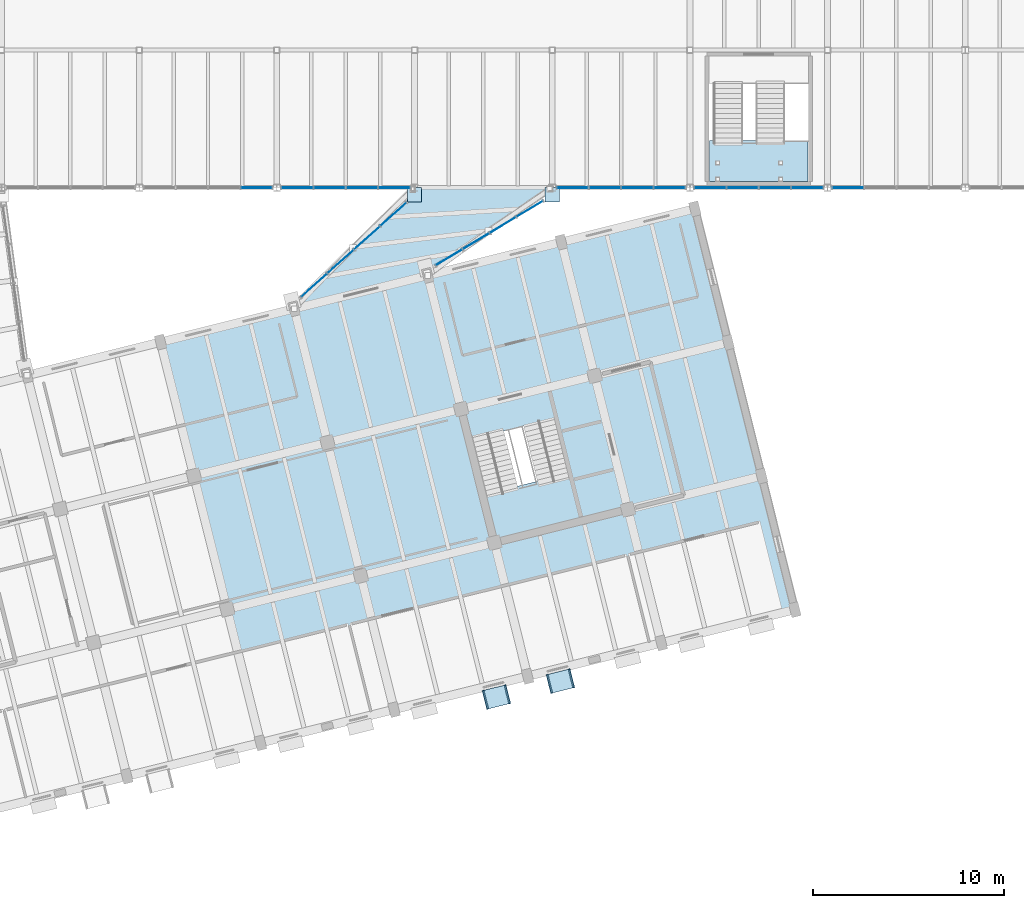
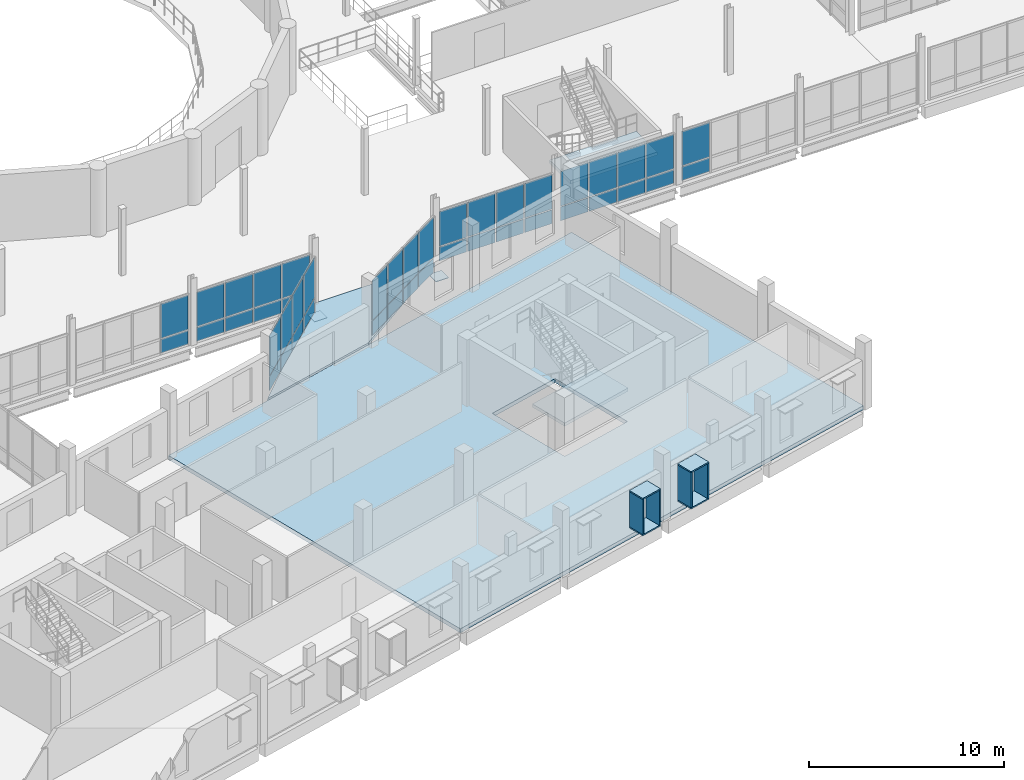
# One storey, part 45 of 72: 54 plates, 4 slabs, 9 elements without a shape of their own.
"""IFC4 building model written with IfcOpenShell, lengths in metres."""

from ifc_helpers import new_model, si_unit, direction, frame, frame_2d, origin, origin_2d, place, context, subcontext, project, spatial, polyline, rectangle, outline, extrude, material, layer, layer_set, type_object, element, aggregate, save


model = new_model("IFC4")

# Units and contexts
model_context = context("Model", 3, precision=1e-05, world=origin(), true_north=direction((0.0, 1.0)))
body_context = subcontext(model_context, "Body", "Model", "MODEL_VIEW")
ifc_project = project(units=[si_unit("LENGTHUNIT", "METRE"), si_unit("AREAUNIT", "SQUARE_METRE"), si_unit("VOLUMEUNIT", "CUBIC_METRE"), si_unit("PLANEANGLEUNIT", "RADIAN"), si_unit("MASSUNIT", "GRAM", prefix="KILO")], contexts=[model_context])

# Site, building, storey
site_placement = place(None, origin())
site = spatial("IfcSite", under=ifc_project, at=site_placement, CompositionType="ELEMENT")
building_placement = place(site_placement, origin())
building = spatial("IfcBuilding", under=site, at=building_placement, Name="Qiaolan Assembly House", CompositionType="ELEMENT")
storey_placement = place(building_placement, frame((0.0, 0.0, 10.199951171875)))
storey = spatial("IfcBuildingStorey", under=building, at=storey_placement, Name="L02", CompositionType="ELEMENT", Elevation=10.199951171875)

# Curtain wall, plates
ifc_material_1 = material(Name="Anodised bronze aluminium", Category="aluminium")
curtain_wall_type_1 = type_object("IfcCurtainWallType", Name="CW-BRIDGE-420", PredefinedType="NOTDEFINED", material=ifc_material_1)
curtain_wall_1_placement = place(storey_placement, origin())
curtain_wall_1 = element("IfcCurtainWall", 1, at=curtain_wall_1_placement, inside=storey, type_object=curtain_wall_type_1, Name="CW-03 Glazed Skybridge Curtain Wall EB L02 W", PredefinedType="NOTDEFINED")
ifc_material_2 = material(Name="Low-E double insulating glass", Category="glass")
ifc_layer_1 = layer(ifc_material_2, 0.030029296875)
ifc_layer_set_1 = layer_set([ifc_layer_1], Name="Low-E double insulating glass")
plate_type_1 = type_object("IfcPlateType", Name="CW-BRIDGE-420-PNL", PredefinedType="CURTAIN_PANEL", material=ifc_layer_set_1)
plate_1_placement = place(storey_placement, frame((66.07763671875, 30.297607421875, 0.05615234375), z_axis=(0.0, 0.0, 1.0), x_axis=(0.744988771168, 0.667077005175, 0.0)))
plate_1 = element("IfcPlate", 2, at=plate_1_placement, type_object=plate_type_1, Name="GL-04 glazing panel CW-BRIDGE-EB-L02-W-1", PredefinedType="CURTAIN_PANEL", context=body_context, shape_type="SweptSolid", body=[
    extrude(rectangle(XDim=1.79541015625, YDim=0.030029296875, at=frame_2d((0.897705078125, 0.0))), origin(), (0.0, 0.0, 1.0), 0.867919921875),
])
plate_2_placement = place(storey_placement, frame((66.07763671875, 30.297607421875, 0.97607421875), z_axis=(0.0, 0.0, 1.0), x_axis=(0.744988771168, 0.667077005175, 0.0)))
plate_2 = element("IfcPlate", 3, at=plate_2_placement, type_object=plate_type_1, Name="GL-04 glazing panel CW-BRIDGE-EB-L02-W-2", PredefinedType="CURTAIN_PANEL", context=body_context, shape_type="SweptSolid", body=[
    extrude(rectangle(XDim=1.79541015625, YDim=0.030029296875, at=frame_2d((0.897705078125, 0.0))), origin(), (0.0, 0.0, 1.0), 2.51806640625),
])
plate_3_placement = place(storey_placement, frame((67.46142578125, 31.536865234375, 0.05615234375), z_axis=(0.0, 0.0, 1.0), x_axis=(0.74511683549, 0.666933955853, 0.0)))
plate_3 = element("IfcPlate", 4, at=plate_3_placement, type_object=plate_type_1, Name="GL-04 glazing panel CW-BRIDGE-EB-L02-W-3", PredefinedType="CURTAIN_PANEL", context=body_context, shape_type="SweptSolid", body=[
    extrude(rectangle(XDim=1.795654296875, YDim=0.030029296875, at=frame_2d((0.89794921875, 0.0))), origin(), (0.0, 0.0, 1.0), 0.867919921875),
])
plate_4_placement = place(storey_placement, frame((67.46142578125, 31.536865234375, 0.97607421875), z_axis=(0.0, 0.0, 1.0), x_axis=(0.74511683549, 0.666933955853, 0.0)))
plate_4 = element("IfcPlate", 5, at=plate_4_placement, type_object=plate_type_1, Name="GL-04 glazing panel CW-BRIDGE-EB-L02-W-4", PredefinedType="CURTAIN_PANEL", context=body_context, shape_type="SweptSolid", body=[
    extrude(rectangle(XDim=1.795654296875, YDim=0.030029296875, at=frame_2d((0.89794921875, 0.0))), origin(), (0.0, 0.0, 1.0), 2.51806640625),
])
plate_5_placement = place(storey_placement, frame((68.845458984375, 32.775634765625, 0.05615234375), z_axis=(0.0, 0.0, 1.0), x_axis=(0.744988771168, 0.667077005175, 0.0)))
plate_5 = element("IfcPlate", 6, at=plate_5_placement, type_object=plate_type_1, Name="GL-04 glazing panel CW-BRIDGE-EB-L02-W-5", PredefinedType="CURTAIN_PANEL", context=body_context, shape_type="SweptSolid", body=[
    extrude(rectangle(XDim=1.79541015625, YDim=0.030029296875, at=frame_2d((0.897705078125, 0.0))), origin(), (0.0, 0.0, 1.0), 0.867919921875),
])
plate_6_placement = place(storey_placement, frame((68.845458984375, 32.775634765625, 0.97607421875), z_axis=(0.0, 0.0, 1.0), x_axis=(0.744988771168, 0.667077005175, 0.0)))
plate_6 = element("IfcPlate", 7, at=plate_6_placement, type_object=plate_type_1, Name="GL-04 glazing panel CW-BRIDGE-EB-L02-W-6", PredefinedType="CURTAIN_PANEL", context=body_context, shape_type="SweptSolid", body=[
    extrude(rectangle(XDim=1.79541015625, YDim=0.030029296875, at=frame_2d((0.897705078125, 0.0))), origin(), (0.0, 0.0, 1.0), 2.51806640625),
])
plate_7_placement = place(storey_placement, frame((70.2294921875, 34.014892578125, 0.05615234375), z_axis=(0.0, 0.0, 1.0), x_axis=(0.745056346619, 0.667001529506, 0.0)))
plate_7 = element("IfcPlate", 8, at=plate_7_placement, type_object=plate_type_1, Name="GL-04 glazing panel CW-BRIDGE-EB-L02-W-7", PredefinedType="CURTAIN_PANEL", context=body_context, shape_type="SweptSolid", body=[
    extrude(rectangle(XDim=1.79541015625, YDim=0.030029296875, at=frame_2d((0.897705078125, 0.0))), origin(), (0.0, 0.0, 1.0), 0.867919921875),
])
plate_8_placement = place(storey_placement, frame((70.2294921875, 34.014892578125, 0.97607421875), z_axis=(0.0, 0.0, 1.0), x_axis=(0.745056346619, 0.667001529506, 0.0)))
plate_8 = element("IfcPlate", 9, at=plate_8_placement, type_object=plate_type_1, Name="GL-04 glazing panel CW-BRIDGE-EB-L02-W-8", PredefinedType="CURTAIN_PANEL", context=body_context, shape_type="SweptSolid", body=[
    extrude(rectangle(XDim=1.79541015625, YDim=0.030029296875, at=frame_2d((0.897705078125, 0.0))), origin(), (0.0, 0.0, 1.0), 2.51806640625),
])
aggregate(curtain_wall_1, [plate_1, plate_2, plate_3, plate_4, plate_5, plate_6, plate_7, plate_8])

curtain_wall_2_placement = place(storey_placement, origin())
curtain_wall_2 = element("IfcCurtainWall", 10, at=curtain_wall_2_placement, inside=storey, type_object=curtain_wall_type_1, Name="CW-03 Glazed Skybridge Curtain Wall EB L02 E", PredefinedType="NOTDEFINED")
plate_9_placement = place(storey_placement, frame((78.701904296875, 35.30078125, 0.05615234375), z_axis=(0.0, 0.0, 1.0), x_axis=(-0.857069699362, -0.515200475965, 0.0)))
plate_9 = element("IfcPlate", 11, at=plate_9_placement, type_object=plate_type_1, Name="GL-04 glazing panel CW-BRIDGE-EB-L02-E-1", PredefinedType="CURTAIN_PANEL", context=body_context, shape_type="SweptSolid", body=[
    extrude(rectangle(XDim=1.578857421875, YDim=0.030029296875, at=frame_2d((0.78955078125, 0.0))), origin(), (0.0, 0.0, 1.0), 0.867919921875),
])
plate_10_placement = place(storey_placement, frame((78.701904296875, 35.30078125, 0.97607421875), z_axis=(0.0, 0.0, 1.0), x_axis=(-0.857069699362, -0.515200475965, 0.0)))
plate_10 = element("IfcPlate", 12, at=plate_10_placement, type_object=plate_type_1, Name="GL-04 glazing panel CW-BRIDGE-EB-L02-E-2", PredefinedType="CURTAIN_PANEL", context=body_context, shape_type="SweptSolid", body=[
    extrude(rectangle(XDim=1.578857421875, YDim=0.030029296875, at=frame_2d((0.78955078125, 0.0))), origin(), (0.0, 0.0, 1.0), 2.51806640625),
])
plate_11_placement = place(storey_placement, frame((77.29541015625, 34.455322265625, 0.05615234375), z_axis=(0.0, 0.0, 1.0), x_axis=(-0.857178991149, -0.515018618239, 0.0)))
plate_11 = element("IfcPlate", 13, at=plate_11_placement, type_object=plate_type_1, Name="GL-04 glazing panel CW-BRIDGE-EB-L02-E-3", PredefinedType="CURTAIN_PANEL", context=body_context, shape_type="SweptSolid", body=[
    extrude(rectangle(XDim=1.5791015625, YDim=0.030029296875, at=frame_2d((0.78955078125, 0.0))), origin(), (0.0, 0.0, 1.0), 0.867919921875),
])
plate_12_placement = place(storey_placement, frame((77.29541015625, 34.455322265625, 0.97607421875), z_axis=(0.0, 0.0, 1.0), x_axis=(-0.857178991149, -0.515018618239, 0.0)))
plate_12 = element("IfcPlate", 14, at=plate_12_placement, type_object=plate_type_1, Name="GL-04 glazing panel CW-BRIDGE-EB-L02-E-4", PredefinedType="CURTAIN_PANEL", context=body_context, shape_type="SweptSolid", body=[
    extrude(rectangle(XDim=1.5791015625, YDim=0.030029296875, at=frame_2d((0.78955078125, 0.0))), origin(), (0.0, 0.0, 1.0), 2.51806640625),
])
plate_13_placement = place(storey_placement, frame((75.888916015625, 33.610107421875, 0.05615234375), z_axis=(0.0, 0.0, 1.0), x_axis=(-0.857110732757, -0.515132208071, 0.0)))
plate_13 = element("IfcPlate", 15, at=plate_13_placement, type_object=plate_type_1, Name="GL-04 glazing panel CW-BRIDGE-EB-L02-E-5", PredefinedType="CURTAIN_PANEL", context=body_context, shape_type="SweptSolid", body=[
    extrude(rectangle(XDim=1.5791015625, YDim=0.030029296875, at=frame_2d((0.78955078125, 0.0))), origin(), (0.0, 0.0, 1.0), 0.867919921875),
])
plate_14_placement = place(storey_placement, frame((75.888916015625, 33.610107421875, 0.97607421875), z_axis=(0.0, 0.0, 1.0), x_axis=(-0.857110732757, -0.515132208071, 0.0)))
plate_14 = element("IfcPlate", 16, at=plate_14_placement, type_object=plate_type_1, Name="GL-04 glazing panel CW-BRIDGE-EB-L02-E-6", PredefinedType="CURTAIN_PANEL", context=body_context, shape_type="SweptSolid", body=[
    extrude(rectangle(XDim=1.5791015625, YDim=0.030029296875, at=frame_2d((0.78955078125, 0.0))), origin(), (0.0, 0.0, 1.0), 2.51806640625),
])
plate_15_placement = place(storey_placement, frame((74.482177734375, 32.7646484375, 0.05615234375), z_axis=(0.0, 0.0, 1.0), x_axis=(-0.857110732757, -0.515132208071, 0.0)))
plate_15 = element("IfcPlate", 17, at=plate_15_placement, type_object=plate_type_1, Name="GL-04 glazing panel CW-BRIDGE-EB-L02-E-7", PredefinedType="CURTAIN_PANEL", context=body_context, shape_type="SweptSolid", body=[
    extrude(rectangle(XDim=1.5791015625, YDim=0.030029296875, at=frame_2d((0.78955078125, 0.0))), origin(), (0.0, 0.0, 1.0), 0.867919921875),
])
plate_16_placement = place(storey_placement, frame((74.482177734375, 32.7646484375, 0.97607421875), z_axis=(0.0, 0.0, 1.0), x_axis=(-0.857110732757, -0.515132208071, 0.0)))
plate_16 = element("IfcPlate", 18, at=plate_16_placement, type_object=plate_type_1, Name="GL-04 glazing panel CW-BRIDGE-EB-L02-E-8", PredefinedType="CURTAIN_PANEL", context=body_context, shape_type="SweptSolid", body=[
    extrude(rectangle(XDim=1.5791015625, YDim=0.030029296875, at=frame_2d((0.78955078125, 0.0))), origin(), (0.0, 0.0, 1.0), 2.51806640625),
])
aggregate(curtain_wall_2, [plate_9, plate_10, plate_11, plate_12, plate_13, plate_14, plate_15, plate_16])

curtain_wall_type_2 = type_object("IfcCurtainWallType", Name="CW-HALL-UPPER-480", PredefinedType="NOTDEFINED", material=ifc_material_1)
curtain_wall_3_placement = place(storey_placement, origin())
curtain_wall_3 = element("IfcCurtainWall", 19, at=curtain_wall_3_placement, inside=storey, type_object=curtain_wall_type_2, Name="CW-01 Hall South plaza curtain wall L02-5", PredefinedType="NOTDEFINED")
ifc_layer_2 = layer(ifc_material_2, 0.031982421875)
ifc_layer_set_2 = layer_set([ifc_layer_2], Name="Low-E double insulating glass")
plate_type_2 = type_object("IfcPlateType", Name="CW-HALL-UPPER-480-PNL", PredefinedType="CURTAIN_PANEL", material=ifc_layer_set_2)
plate_17_placement = place(storey_placement, frame((62.925048828125, 36.0, 0.06005859375), z_axis=(0.0, 0.0, 1.0), x_axis=(1.0, 0.0, 0.0)))
plate_17 = element("IfcPlate", 20, at=plate_17_placement, type_object=plate_type_2, Name="GL-02 glazing panel CW-HALL-S-L02-04-7", PredefinedType="CURTAIN_PANEL", context=body_context, shape_type="SweptSolid", body=[
    extrude(rectangle(XDim=1.619873046875, YDim=0.031982421875, at=frame_2d((0.81005859375, 0.0))), origin(), (0.0, 0.0, 1.0), 0.860107421875),
])
plate_18_placement = place(storey_placement, frame((62.925048828125, 36.0, 0.97998046875), z_axis=(0.0, 0.0, 1.0), x_axis=(1.0, 0.0, 0.0)))
plate_18 = element("IfcPlate", 21, at=plate_18_placement, type_object=plate_type_2, Name="GL-02 glazing panel CW-HALL-S-L02-04-8", PredefinedType="CURTAIN_PANEL", context=body_context, shape_type="SweptSolid", body=[
    extrude(rectangle(XDim=1.619873046875, YDim=0.031982421875, at=frame_2d((0.81005859375, 0.0))), origin(), (0.0, 0.0, 1.0), 2.16015625),
])
aggregate(curtain_wall_3, [plate_17, plate_18])

curtain_wall_4_placement = place(storey_placement, origin())
curtain_wall_4 = element("IfcCurtainWall", 22, at=curtain_wall_4_placement, inside=storey, type_object=curtain_wall_type_2, Name="CW-01 Hall South plaza curtain wall L02-6", PredefinedType="NOTDEFINED")
plate_19_placement = place(storey_placement, frame((65.054931640625, 36.0, 0.06005859375), z_axis=(0.0, 0.0, 1.0), x_axis=(1.0, 0.0, 0.0)))
plate_19 = element("IfcPlate", 23, at=plate_19_placement, type_object=plate_type_2, Name="GL-02 glazing panel CW-HALL-S-L02-05-1", PredefinedType="CURTAIN_PANEL", context=body_context, shape_type="SweptSolid", body=[
    extrude(rectangle(XDim=1.6201171875, YDim=0.031982421875, at=frame_2d((0.81005859375, 0.0))), origin(), (0.0, 0.0, 1.0), 0.860107421875),
])
plate_20_placement = place(storey_placement, frame((65.054931640625, 36.0, 0.97998046875), z_axis=(0.0, 0.0, 1.0), x_axis=(1.0, 0.0, 0.0)))
plate_20 = element("IfcPlate", 24, at=plate_20_placement, type_object=plate_type_2, Name="GL-02 glazing panel CW-HALL-S-L02-05-2", PredefinedType="CURTAIN_PANEL", context=body_context, shape_type="SweptSolid", body=[
    extrude(rectangle(XDim=1.6201171875, YDim=0.031982421875, at=frame_2d((0.81005859375, 0.0))), origin(), (0.0, 0.0, 1.0), 2.16015625),
])
plate_21_placement = place(storey_placement, frame((66.7451171875, 36.0, 0.06005859375), z_axis=(0.0, 0.0, 1.0), x_axis=(1.0, 0.0, 0.0)))
plate_21 = element("IfcPlate", 25, at=plate_21_placement, type_object=plate_type_2, Name="GL-02 glazing panel CW-HALL-S-L02-05-3", PredefinedType="CURTAIN_PANEL", context=body_context, shape_type="SweptSolid", body=[
    extrude(rectangle(XDim=1.619873046875, YDim=0.031982421875, at=frame_2d((0.81005859375, 0.0))), origin(), (0.0, 0.0, 1.0), 0.860107421875),
])
plate_22_placement = place(storey_placement, frame((66.7451171875, 36.0, 0.97998046875), z_axis=(0.0, 0.0, 1.0), x_axis=(1.0, 0.0, 0.0)))
plate_22 = element("IfcPlate", 26, at=plate_22_placement, type_object=plate_type_2, Name="GL-02 glazing panel CW-HALL-S-L02-05-4", PredefinedType="CURTAIN_PANEL", context=body_context, shape_type="SweptSolid", body=[
    extrude(rectangle(XDim=1.619873046875, YDim=0.031982421875, at=frame_2d((0.81005859375, 0.0))), origin(), (0.0, 0.0, 1.0), 2.16015625),
])
plate_23_placement = place(storey_placement, frame((68.43505859375, 36.0, 0.06005859375), z_axis=(0.0, 0.0, 1.0), x_axis=(1.0, 0.0, 0.0)))
plate_23 = element("IfcPlate", 27, at=plate_23_placement, type_object=plate_type_2, Name="GL-02 glazing panel CW-HALL-S-L02-05-5", PredefinedType="CURTAIN_PANEL", context=body_context, shape_type="SweptSolid", body=[
    extrude(rectangle(XDim=1.619873046875, YDim=0.031982421875, at=frame_2d((0.81005859375, 0.0))), origin(), (0.0, 0.0, 1.0), 0.860107421875),
])
plate_24_placement = place(storey_placement, frame((68.43505859375, 36.0, 0.97998046875), z_axis=(0.0, 0.0, 1.0), x_axis=(1.0, 0.0, 0.0)))
plate_24 = element("IfcPlate", 28, at=plate_24_placement, type_object=plate_type_2, Name="GL-02 glazing panel CW-HALL-S-L02-05-6", PredefinedType="CURTAIN_PANEL", context=body_context, shape_type="SweptSolid", body=[
    extrude(rectangle(XDim=1.619873046875, YDim=0.031982421875, at=frame_2d((0.81005859375, 0.0))), origin(), (0.0, 0.0, 1.0), 2.16015625),
])
plate_25_placement = place(storey_placement, frame((70.125, 36.0, 0.06005859375), z_axis=(0.0, 0.0, 1.0), x_axis=(1.0, 0.0, 0.0)))
plate_25 = element("IfcPlate", 29, at=plate_25_placement, type_object=plate_type_2, Name="GL-02 glazing panel CW-HALL-S-L02-05-7", PredefinedType="CURTAIN_PANEL", context=body_context, shape_type="SweptSolid", body=[
    extrude(rectangle(XDim=1.6201171875, YDim=0.031982421875, at=frame_2d((0.81005859375, 0.0))), origin(), (0.0, 0.0, 1.0), 0.860107421875),
])
plate_26_placement = place(storey_placement, frame((70.125, 36.0, 0.97998046875), z_axis=(0.0, 0.0, 1.0), x_axis=(1.0, 0.0, 0.0)))
plate_26 = element("IfcPlate", 30, at=plate_26_placement, type_object=plate_type_2, Name="GL-02 glazing panel CW-HALL-S-L02-05-8", PredefinedType="CURTAIN_PANEL", context=body_context, shape_type="SweptSolid", body=[
    extrude(rectangle(XDim=1.6201171875, YDim=0.031982421875, at=frame_2d((0.81005859375, 0.0))), origin(), (0.0, 0.0, 1.0), 2.16015625),
])
aggregate(curtain_wall_4, [plate_19, plate_20, plate_21, plate_22, plate_23, plate_24, plate_25, plate_26])

curtain_wall_5_placement = place(storey_placement, origin())
curtain_wall_5 = element("IfcCurtainWall", 31, at=curtain_wall_5_placement, inside=storey, type_object=curtain_wall_type_2, Name="CW-01 Hall South plaza curtain wall L02-8", PredefinedType="NOTDEFINED")
plate_27_placement = place(storey_placement, frame((79.455078125, 36.0, 0.06005859375), z_axis=(0.0, 0.0, 1.0), x_axis=(1.0, 0.0, 0.0)))
plate_27 = element("IfcPlate", 32, at=plate_27_placement, type_object=plate_type_2, Name="GL-02 glazing panel CW-HALL-S-L02-07-1", PredefinedType="CURTAIN_PANEL", context=body_context, shape_type="SweptSolid", body=[
    extrude(rectangle(XDim=1.619873046875, YDim=0.031982421875, at=frame_2d((0.81005859375, 0.0))), origin(), (0.0, 0.0, 1.0), 0.860107421875),
])
plate_28_placement = place(storey_placement, frame((79.455078125, 36.0, 0.97998046875), z_axis=(0.0, 0.0, 1.0), x_axis=(1.0, 0.0, 0.0)))
plate_28 = element("IfcPlate", 33, at=plate_28_placement, type_object=plate_type_2, Name="GL-02 glazing panel CW-HALL-S-L02-07-2", PredefinedType="CURTAIN_PANEL", context=body_context, shape_type="SweptSolid", body=[
    extrude(rectangle(XDim=1.619873046875, YDim=0.031982421875, at=frame_2d((0.81005859375, 0.0))), origin(), (0.0, 0.0, 1.0), 2.16015625),
])
plate_29_placement = place(storey_placement, frame((81.14501953125, 36.0, 0.06005859375), z_axis=(0.0, 0.0, 1.0), x_axis=(1.0, 0.0, 0.0)))
plate_29 = element("IfcPlate", 34, at=plate_29_placement, type_object=plate_type_2, Name="GL-02 glazing panel CW-HALL-S-L02-07-3", PredefinedType="CURTAIN_PANEL", context=body_context, shape_type="SweptSolid", body=[
    extrude(rectangle(XDim=1.619873046875, YDim=0.031982421875, at=frame_2d((0.81005859375, 0.0))), origin(), (0.0, 0.0, 1.0), 0.860107421875),
])
plate_30_placement = place(storey_placement, frame((81.14501953125, 36.0, 0.97998046875), z_axis=(0.0, 0.0, 1.0), x_axis=(1.0, 0.0, 0.0)))
plate_30 = element("IfcPlate", 35, at=plate_30_placement, type_object=plate_type_2, Name="GL-02 glazing panel CW-HALL-S-L02-07-4", PredefinedType="CURTAIN_PANEL", context=body_context, shape_type="SweptSolid", body=[
    extrude(rectangle(XDim=1.619873046875, YDim=0.031982421875, at=frame_2d((0.81005859375, 0.0))), origin(), (0.0, 0.0, 1.0), 2.16015625),
])
plate_31_placement = place(storey_placement, frame((82.8349609375, 36.0, 0.06005859375), z_axis=(0.0, 0.0, 1.0), x_axis=(1.0, 0.0, 0.0)))
plate_31 = element("IfcPlate", 36, at=plate_31_placement, type_object=plate_type_2, Name="GL-02 glazing panel CW-HALL-S-L02-07-5", PredefinedType="CURTAIN_PANEL", context=body_context, shape_type="SweptSolid", body=[
    extrude(rectangle(XDim=1.6201171875, YDim=0.031982421875, at=frame_2d((0.81005859375, 0.0))), origin(), (0.0, 0.0, 1.0), 0.860107421875),
])
plate_32_placement = place(storey_placement, frame((82.8349609375, 36.0, 0.97998046875), z_axis=(0.0, 0.0, 1.0), x_axis=(1.0, 0.0, 0.0)))
plate_32 = element("IfcPlate", 37, at=plate_32_placement, type_object=plate_type_2, Name="GL-02 glazing panel CW-HALL-S-L02-07-6", PredefinedType="CURTAIN_PANEL", context=body_context, shape_type="SweptSolid", body=[
    extrude(rectangle(XDim=1.6201171875, YDim=0.031982421875, at=frame_2d((0.81005859375, 0.0))), origin(), (0.0, 0.0, 1.0), 2.16015625),
])
plate_33_placement = place(storey_placement, frame((84.52490234375, 36.0, 0.06005859375), z_axis=(0.0, 0.0, 1.0), x_axis=(1.0, 0.0, 0.0)))
plate_33 = element("IfcPlate", 38, at=plate_33_placement, type_object=plate_type_2, Name="GL-02 glazing panel CW-HALL-S-L02-07-7", PredefinedType="CURTAIN_PANEL", context=body_context, shape_type="SweptSolid", body=[
    extrude(rectangle(XDim=1.6201171875, YDim=0.031982421875, at=frame_2d((0.81005859375, 0.0))), origin(), (0.0, 0.0, 1.0), 0.860107421875),
])
plate_34_placement = place(storey_placement, frame((84.52490234375, 36.0, 0.97998046875), z_axis=(0.0, 0.0, 1.0), x_axis=(1.0, 0.0, 0.0)))
plate_34 = element("IfcPlate", 39, at=plate_34_placement, type_object=plate_type_2, Name="GL-02 glazing panel CW-HALL-S-L02-07-8", PredefinedType="CURTAIN_PANEL", context=body_context, shape_type="SweptSolid", body=[
    extrude(rectangle(XDim=1.6201171875, YDim=0.031982421875, at=frame_2d((0.81005859375, 0.0))), origin(), (0.0, 0.0, 1.0), 2.16015625),
])
aggregate(curtain_wall_5, [plate_27, plate_28, plate_29, plate_30, plate_31, plate_32, plate_33, plate_34])

curtain_wall_6_placement = place(storey_placement, origin())
curtain_wall_6 = element("IfcCurtainWall", 40, at=curtain_wall_6_placement, inside=storey, type_object=curtain_wall_type_2, Name="CW-01 Hall South plaza curtain wall L02-9", PredefinedType="NOTDEFINED")
plate_35_placement = place(storey_placement, frame((86.655029296875, 36.0, 0.06005859375), z_axis=(0.0, 0.0, 1.0), x_axis=(1.0, 0.0, 0.0)))
plate_35 = element("IfcPlate", 41, at=plate_35_placement, type_object=plate_type_2, Name="GL-02 glazing panel CW-HALL-S-L02-08-1", PredefinedType="CURTAIN_PANEL", context=body_context, shape_type="SweptSolid", body=[
    extrude(rectangle(XDim=1.619873046875, YDim=0.031982421875, at=frame_2d((0.81005859375, 0.0))), origin(), (0.0, 0.0, 1.0), 0.860107421875),
])
plate_36_placement = place(storey_placement, frame((86.655029296875, 36.0, 0.97998046875), z_axis=(0.0, 0.0, 1.0), x_axis=(1.0, 0.0, 0.0)))
plate_36 = element("IfcPlate", 42, at=plate_36_placement, type_object=plate_type_2, Name="GL-02 glazing panel CW-HALL-S-L02-08-2", PredefinedType="CURTAIN_PANEL", context=body_context, shape_type="SweptSolid", body=[
    extrude(rectangle(XDim=1.619873046875, YDim=0.031982421875, at=frame_2d((0.81005859375, 0.0))), origin(), (0.0, 0.0, 1.0), 2.16015625),
])
plate_37_placement = place(storey_placement, frame((88.344970703125, 36.0, 0.06005859375), z_axis=(0.0, 0.0, 1.0), x_axis=(1.0, 0.0, 0.0)))
plate_37 = element("IfcPlate", 43, at=plate_37_placement, type_object=plate_type_2, Name="GL-02 glazing panel CW-HALL-S-L02-08-3", PredefinedType="CURTAIN_PANEL", context=body_context, shape_type="SweptSolid", body=[
    extrude(rectangle(XDim=1.6201171875, YDim=0.031982421875, at=frame_2d((0.81005859375, 0.0))), origin(), (0.0, 0.0, 1.0), 0.860107421875),
])
plate_38_placement = place(storey_placement, frame((88.344970703125, 36.0, 0.97998046875), z_axis=(0.0, 0.0, 1.0), x_axis=(1.0, 0.0, 0.0)))
plate_38 = element("IfcPlate", 44, at=plate_38_placement, type_object=plate_type_2, Name="GL-02 glazing panel CW-HALL-S-L02-08-4", PredefinedType="CURTAIN_PANEL", context=body_context, shape_type="SweptSolid", body=[
    extrude(rectangle(XDim=1.6201171875, YDim=0.031982421875, at=frame_2d((0.81005859375, 0.0))), origin(), (0.0, 0.0, 1.0), 2.16015625),
])
plate_39_placement = place(storey_placement, frame((90.034912109375, 36.0, 0.06005859375), z_axis=(0.0, 0.0, 1.0), x_axis=(1.0, 0.0, 0.0)))
plate_39 = element("IfcPlate", 45, at=plate_39_placement, type_object=plate_type_2, Name="GL-02 glazing panel CW-HALL-S-L02-08-5", PredefinedType="CURTAIN_PANEL", context=body_context, shape_type="SweptSolid", body=[
    extrude(rectangle(XDim=1.6201171875, YDim=0.031982421875, at=frame_2d((0.81005859375, 0.0))), origin(), (0.0, 0.0, 1.0), 0.860107421875),
])
plate_40_placement = place(storey_placement, frame((90.034912109375, 36.0, 0.97998046875), z_axis=(0.0, 0.0, 1.0), x_axis=(1.0, 0.0, 0.0)))
plate_40 = element("IfcPlate", 46, at=plate_40_placement, type_object=plate_type_2, Name="GL-02 glazing panel CW-HALL-S-L02-08-6", PredefinedType="CURTAIN_PANEL", context=body_context, shape_type="SweptSolid", body=[
    extrude(rectangle(XDim=1.6201171875, YDim=0.031982421875, at=frame_2d((0.81005859375, 0.0))), origin(), (0.0, 0.0, 1.0), 2.16015625),
])
plate_41_placement = place(storey_placement, frame((91.72509765625, 36.0, 0.06005859375), z_axis=(0.0, 0.0, 1.0), x_axis=(1.0, 0.0, 0.0)))
plate_41 = element("IfcPlate", 47, at=plate_41_placement, type_object=plate_type_2, Name="GL-02 glazing panel CW-HALL-S-L02-08-7", PredefinedType="CURTAIN_PANEL", context=body_context, shape_type="SweptSolid", body=[
    extrude(rectangle(XDim=1.619873046875, YDim=0.031982421875, at=frame_2d((0.81005859375, 0.0))), origin(), (0.0, 0.0, 1.0), 0.860107421875),
])
plate_42_placement = place(storey_placement, frame((91.72509765625, 36.0, 0.97998046875), z_axis=(0.0, 0.0, 1.0), x_axis=(1.0, 0.0, 0.0)))
plate_42 = element("IfcPlate", 48, at=plate_42_placement, type_object=plate_type_2, Name="GL-02 glazing panel CW-HALL-S-L02-08-8", PredefinedType="CURTAIN_PANEL", context=body_context, shape_type="SweptSolid", body=[
    extrude(rectangle(XDim=1.619873046875, YDim=0.031982421875, at=frame_2d((0.81005859375, 0.0))), origin(), (0.0, 0.0, 1.0), 2.16015625),
])
aggregate(curtain_wall_6, [plate_35, plate_36, plate_37, plate_38, plate_39, plate_40, plate_41, plate_42])

curtain_wall_7_placement = place(storey_placement, origin())
curtain_wall_7 = element("IfcCurtainWall", 49, at=curtain_wall_7_placement, inside=storey, type_object=curtain_wall_type_2, Name="CW-01 Hall South plaza curtain wall L02-10", PredefinedType="NOTDEFINED")
plate_43_placement = place(storey_placement, frame((93.85498046875, 36.0, 0.06005859375), z_axis=(0.0, 0.0, 1.0), x_axis=(1.0, 0.0, 0.0)))
plate_43 = element("IfcPlate", 50, at=plate_43_placement, type_object=plate_type_2, Name="GL-02 glazing panel CW-HALL-S-L02-09-1", PredefinedType="CURTAIN_PANEL", context=body_context, shape_type="SweptSolid", body=[
    extrude(rectangle(XDim=1.6201171875, YDim=0.031982421875, at=frame_2d((0.81005859375, 0.0))), origin(), (0.0, 0.0, 1.0), 0.860107421875),
])
plate_44_placement = place(storey_placement, frame((93.85498046875, 36.0, 0.97998046875), z_axis=(0.0, 0.0, 1.0), x_axis=(1.0, 0.0, 0.0)))
plate_44 = element("IfcPlate", 51, at=plate_44_placement, type_object=plate_type_2, Name="GL-02 glazing panel CW-HALL-S-L02-09-2", PredefinedType="CURTAIN_PANEL", context=body_context, shape_type="SweptSolid", body=[
    extrude(rectangle(XDim=1.6201171875, YDim=0.031982421875, at=frame_2d((0.81005859375, 0.0))), origin(), (0.0, 0.0, 1.0), 2.16015625),
])
aggregate(curtain_wall_7, [plate_43, plate_44])

# Plates
ifc_material_3 = material(Name="Steel Q355B", Category="steel")
ifc_layer_3 = layer(ifc_material_3, 0.02490234375)
ifc_layer_set_3 = layer_set([ifc_layer_3], Name="Steel Q355B")
plate_type_3 = type_object("IfcPlateType", Name="PLT-SEAT-PTFE-450", PredefinedType="SHEET", material=ifc_layer_set_3)
for number, where, z_axis, x_axis, name in (
    (52, (72.0, 35.625, -0.61181640625), (0.0, 0.0, 1.0), (1.0, 0.0, 0.0), "NP-03 Hall bridge 750mm steel seat shelf EB L02"),
    (53, (79.199951171875, 35.625, -0.61181640625), (0.0, 0.0, 1.0), (1.0, 0.0, 0.0), "NP-03 Hall bridge 750mm steel seat shelf EB L02"),
):
    element("IfcPlate", number, at=place(storey_placement, frame(where, z_axis=z_axis, x_axis=x_axis)), inside=storey, type_object=plate_type_3, Name=name, PredefinedType="SHEET", context=body_context, shape_type="SweptSolid", body=[
        extrude(rectangle(XDim=0.75, YDim=0.75, at=origin_2d()), origin(), (0.0, 0.0, 1.0), 0.035888671875),
    ])
ifc_material_4 = material(Name="Honed pale limestone", Category="masonry")
ifc_layer_4 = layer(ifc_material_4, 0.0849609375)
ifc_layer_set_4 = layer_set([ifc_layer_4], Name="Honed pale limestone")
plate_type_4 = type_object("IfcPlateType", Name="PLT-WINBOX-CHEEK", PredefinedType="SHEET", material=ifc_layer_set_4)
for number, where, z_axis, x_axis, name in (
    (54, (75.70654296875, 9.2197265625, 0.7001953125), (0.0, 0.0, 1.0), (0.970295726276, 0.2419218956, 0.0), "WB-02 projecting window-box cheek CL SES-L02-05-2"),
    (55, (76.856201171875, 9.50634765625, 0.7001953125), (0.0, 0.0, 1.0), (0.970295726276, 0.2419218956, 0.0), "WB-02 projecting window-box cheek CR SES-L02-05-2"),
    (56, (79.053955078125, 10.054443359375, 0.7001953125), (0.0, 0.0, 1.0), (0.970295726276, 0.2419218956, 0.0), "WB-02 projecting window-box cheek CL SES-L02-06-0"),
    (57, (80.203857421875, 10.341064453125, 0.7001953125), (0.0, 0.0, 1.0), (0.970295726276, 0.2419218956, 0.0), "WB-02 projecting window-box cheek CR SES-L02-06-0"),
):
    element("IfcPlate", number, at=place(storey_placement, frame(where, z_axis=z_axis, x_axis=x_axis)), inside=storey, type_object=plate_type_4, Name=name, PredefinedType="SHEET", context=body_context, shape_type="SweptSolid", body=[
        extrude(rectangle(XDim=0.0849609375, YDim=1.0, at=origin_2d()), origin(), (0.0, 0.0, 1.0), 2.18994140625),
    ])
ifc_layer_5 = layer(ifc_material_4, 0.080078125)
ifc_layer_set_5 = layer_set([ifc_layer_5], Name="Honed pale limestone")
plate_type_5 = type_object("IfcPlateType", Name="PLT-WINBOX-SURROUND", PredefinedType="SHEET", material=ifc_layer_set_5)
for number, where, name in (
    (58, (0.0, 0.0, 0.6201171875), "WB-01 projecting limestone window-box sill SES-L02-05-2"),
    (59, (0.0, 0.0, 2.89013671875), "WB-01 projecting limestone window-box hood SES-L02-05-2"),
):
    element("IfcPlate", number, at=place(storey_placement, frame(where)), inside=storey, type_object=plate_type_5, Name=name, PredefinedType="SHEET", context=body_context, shape_type="SweptSolid", body=[
        extrude(outline(polyline([(75.7861328125, 8.724365234375), (77.0185546875, 9.031494140625), (76.776611328125, 10.001953125), (75.544189453125, 9.694580078125), (75.7861328125, 8.724365234375)])), origin(), (0.0, 0.0, 1.0), 0.079833984375),
    ])
for number, where, name in (
    (60, (0.0, 0.0, 0.6201171875), "WB-01 projecting limestone window-box sill SES-L02-06-0"),
    (61, (0.0, 0.0, 2.89013671875), "WB-01 projecting limestone window-box hood SES-L02-06-0"),
):
    element("IfcPlate", number, at=place(storey_placement, frame(where)), inside=storey, type_object=plate_type_5, Name=name, PredefinedType="SHEET", context=body_context, shape_type="SweptSolid", body=[
        extrude(outline(polyline([(79.1337890625, 9.558837890625), (80.365966796875, 9.8662109375), (80.1240234375, 10.83642578125), (78.891845703125, 10.529296875), (79.1337890625, 9.558837890625)])), origin(), (0.0, 0.0, 1.0), 0.079833984375),
    ])

# Slabs
ifc_material_5 = material(Name="Concrete C40/50", Category="concrete")
ifc_layer_6 = layer(ifc_material_5, 0.18505859375)
ifc_layer_set_6 = layer_set([ifc_layer_6], Name="Concrete C40/50")
slab_type_1 = type_object("IfcSlabType", Name="SLB-BRIDGE-185", PredefinedType="FLOOR", material=ifc_layer_set_6)
slab_1_placement = place(storey_placement, frame((0.0, 0.0, -0.18505859375)))
element("IfcSlab", 62, at=slab_1_placement, inside=storey, type_object=slab_type_1, Name="FS-08 Glazed Skybridge Deck EB L02", PredefinedType="FLOOR", context=body_context, shape_type="SweptSolid", body=[
    extrude(outline(polyline([(65.676025390625, 29.783935546875), (72.662353515625, 31.52587890625), (79.199951171875, 36.0), (72.0, 36.0), (65.676025390625, 29.783935546875)])), origin(), (0.0, 0.0, 1.0), 0.18505859375),
])
ifc_layer_7 = layer(ifc_material_5, 0.25)
ifc_layer_set_7 = layer_set([ifc_layer_7], Name="Concrete C40/50")
slab_type_2 = type_object("IfcSlabType", Name="SLB-COMM-250", PredefinedType="FLOOR", material=ifc_layer_set_7)
slab_2_placement = place(storey_placement, frame((0.0, 0.0, -0.25)))
element("IfcSlab", 63, at=slab_2_placement, inside=storey, type_object=slab_type_2, Name="FS-01 South-East Splayed Wing East Plate L02", PredefinedType="FLOOR", context=body_context, shape_type="SweptSolid", body=[
    extrude(outline(polyline([(63.944580078125, 6.96728515625), (91.888916015625, 13.934814453125), (86.66357421875, 34.89306640625), (58.718994140625, 27.92578125), (63.944580078125, 6.96728515625)]), holes=[polyline([(75.0263671875, 22.87060546875), (79.373291015625, 23.95458984375), (80.66748046875, 18.763427734375), (76.320556640625, 17.6796875), (75.0263671875, 22.87060546875)])]), origin(), (0.0, 0.0, 1.0), 0.25),
])

# Stair, slab
stair_type_1 = type_object("IfcStairType", Name="STR-STD-420", PredefinedType="HALF_TURN_STAIR", material=ifc_material_5)
stair_1_placement = place(storey_placement, origin())
stair_1 = element("IfcStair", 64, at=stair_1_placement, inside=storey, type_object=stair_type_1, Name="ST-05 enclosed egress stair CORE-D L02", PredefinedType="HALF_TURN_STAIR")
ifc_layer_8 = layer(ifc_material_5, 0.199951171875)
ifc_layer_set_8 = layer_set([ifc_layer_8], Name="Concrete C40/50")
slab_type_3 = type_object("IfcSlabType", Name="SLB-LANDING-200", PredefinedType="LANDING", material=ifc_layer_set_8)
slab_3_placement = place(storey_placement, frame((0.0, 0.0, 1.900146484375)))
slab_3 = element("IfcSlab", 65, at=slab_3_placement, type_object=slab_type_3, Name="Stair landing LND-CORE-D-L02-HL", PredefinedType="LANDING", context=body_context, shape_type="SweptSolid", body=[
    extrude(outline(polyline([(76.30615234375, 17.6552734375), (75.727783203125, 19.974365234375), (80.133056640625, 21.07275390625), (80.711181640625, 18.753662109375), (76.30615234375, 17.6552734375)])), origin(), (0.0, 0.0, 1.0), 0.199951171875),
])
aggregate(stair_1, [slab_3])

stair_type_2 = type_object("IfcStairType", Name="STR-FOYER-420", PredefinedType="HALF_TURN_STAIR", material=ifc_material_5)
stair_2_placement = place(storey_placement, origin())
stair_2 = element("IfcStair", 66, at=stair_2_placement, inside=storey, type_object=stair_type_2, Name="ST-13 Chamber Concourse Foyer Stair ST-F22", PredefinedType="HALF_TURN_STAIR")
slab_4_placement = place(storey_placement, frame((0.0, 0.0, 1.900146484375)))
slab_4 = element("IfcSlab", 67, at=slab_4_placement, type_object=slab_type_3, Name="Stair landing LND-ST-F22-1", PredefinedType="LANDING", context=body_context, shape_type="SweptSolid", body=[
    extrude(outline(polyline([(87.419921875, 36.320068359375), (87.419921875, 38.469970703125), (92.580078125, 38.469970703125), (92.580078125, 36.320068359375), (87.419921875, 36.320068359375)])), origin(), (0.0, 0.0, 1.0), 0.199951171875),
])
aggregate(stair_2, [slab_4])

save(model, "model.ifc")
